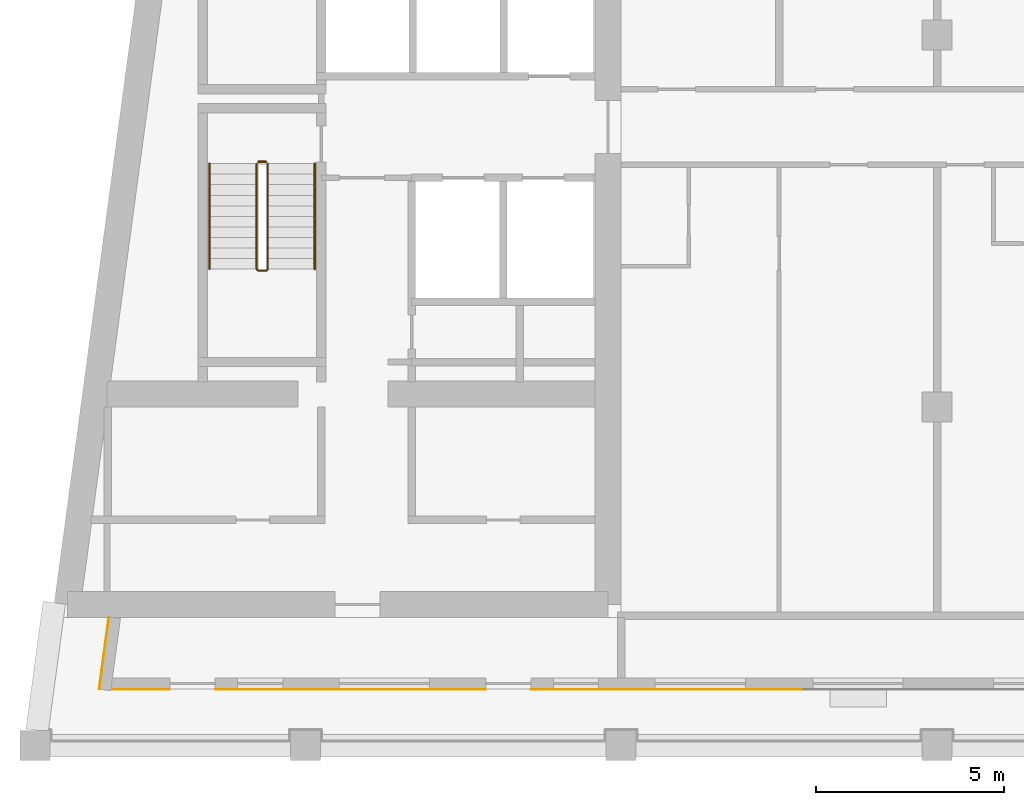
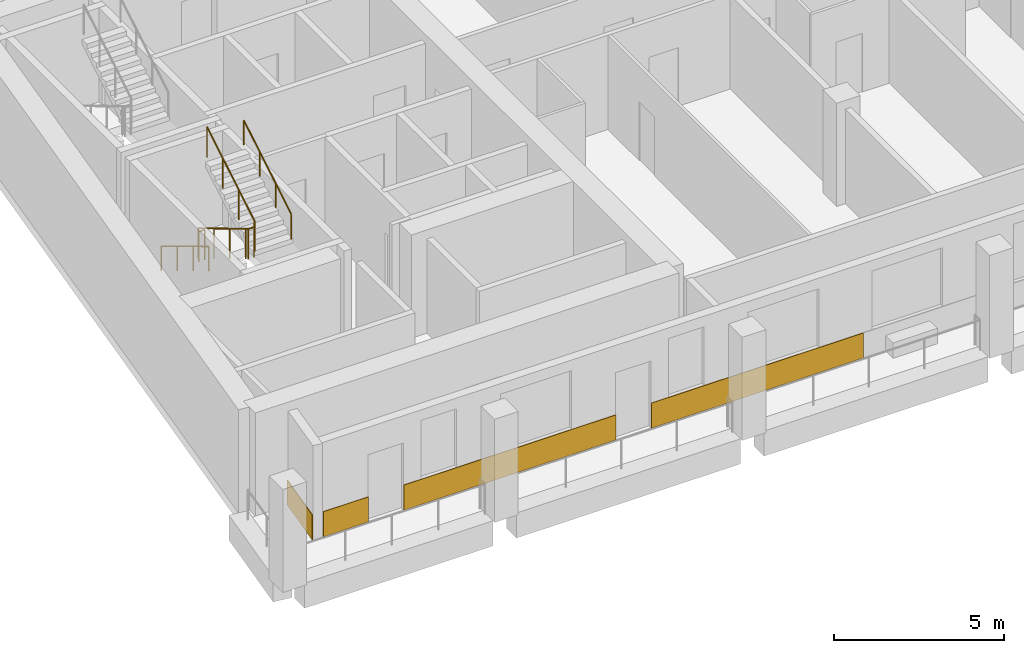
# One storey, part 8 of 13: 4 coverings, 4 railings.
"""IFC4 building model written with IfcOpenShell, lengths in metres."""

from ifc_helpers import new_model, si_unit, direction, frame, origin, origin_2d, place, context, subcontext, project, spatial, rectangle, circle, extrude, material, layer, layer_set, type_object, element, save


model = new_model("IFC4")

# Units and contexts
model_context = context("Model", 3, precision=1e-05, world=origin(), true_north=direction((0.0, 1.0)))
body_context = subcontext(model_context, "Body", "Model", "MODEL_VIEW")
ifc_project = project(units=[si_unit("LENGTHUNIT", "METRE"), si_unit("AREAUNIT", "SQUARE_METRE"), si_unit("VOLUMEUNIT", "CUBIC_METRE"), si_unit("PLANEANGLEUNIT", "RADIAN"), si_unit("MASSUNIT", "GRAM", prefix="KILO")], contexts=[model_context])

# Site, building, storey
site_placement = place(None, origin())
site = spatial("IfcSite", under=ifc_project, at=site_placement, CompositionType="ELEMENT")
building_placement = place(site_placement, origin())
building = spatial("IfcBuilding", under=site, at=building_placement, Name="Candeia Pilgrim Tower and Theatre", CompositionType="ELEMENT")
storey_placement = place(building_placement, frame((0.0, 0.0, 262.699951171875)))
storey = spatial("IfcBuildingStorey", under=building, at=storey_placement, Name="L63", CompositionType="ELEMENT", Elevation=262.699951171875)

# Coverings
ifc_material_1 = material(Name="Glazed ceramic tile bottle green")
ifc_layer = layer(ifc_material_1, 0.02001953125)
ifc_layer_set = layer_set([ifc_layer], Name="Glazed ceramic tile bottle green")
covering_type = type_object("IfcCoveringType", Name="Glazed ceramic tile bottle green", PredefinedType="CLADDING", material=ifc_layer_set)
covering_1_placement = place(storey_placement, frame((87.04638671875, 109.46142578125, 0.0), z_axis=(0.0, 0.0, 1.0), x_axis=(-0.133412012145, -0.991060661622, 0.0)))
element("IfcCovering", 1, at=covering_1_placement, inside=storey, type_object=covering_type, Name="Tile cladding bottle green L63", PredefinedType="CLADDING", context=body_context, shape_type="SweptSolid", body=[
    extrude(rectangle(XDim=1.937255859375, YDim=0.02001953125, at=origin_2d()), origin(), (0.0, 0.0, 1.0), 0.89990234375),
])
covering_2_placement = place(storey_placement, frame((88.0341796875, 108.489990234375, 0.0), z_axis=(0.0, 0.0, 1.0), x_axis=(1.0, 0.0, 0.0)))
element("IfcCovering", 2, at=covering_2_placement, inside=storey, type_object=covering_type, Name="Tile cladding bottle green L63", PredefinedType="CLADDING", context=body_context, shape_type="SweptSolid", body=[
    extrude(rectangle(XDim=1.531494140625, YDim=0.02001953125, at=origin_2d()), origin(), (0.0, 0.0, 1.0), 0.89990234375),
])
for number, where, z_axis, x_axis, name in (
    (3, (93.60009765625, 108.489990234375, 0.0), (0.0, 0.0, 1.0), (1.0, 0.0, 0.0), "Tile cladding bottle green L63"),
    (4, (102.0, 108.489990234375, 0.0), (0.0, 0.0, 1.0), (1.0, 0.0, 0.0), "Tile cladding bottle green L63"),
):
    element("IfcCovering", number, at=place(storey_placement, frame(where, z_axis=z_axis, x_axis=x_axis)), inside=storey, type_object=covering_type, Name=name, PredefinedType="CLADDING", context=body_context, shape_type="SweptSolid", body=[
        extrude(rectangle(XDim=7.199951171875, YDim=0.02001953125, at=origin_2d()), origin(), (0.0, 0.0, 1.0), 0.89990234375),
    ])

# Railings
ifc_material_2 = material(Name="Stainless steel balustrade", Category="steel")
railing_type_1 = type_object("IfcRailingType", Name="RL-GUARD-1100", PredefinedType="GUARDRAIL", material=ifc_material_2)
railing_1_placement = place(storey_placement, frame((91.10205078125, 122.47509765625, 0.168212890625)))
element("IfcRailing", 5, at=railing_1_placement, inside=storey, type_object=railing_type_1, Name="L63 ST1 stair guard 1", PredefinedType="GUARDRAIL", context=body_context, shape_type="SweptSolid", body=[
    extrude(circle(Radius=0.02392578125, at=origin_2d()), frame((0.0, 0.0, 1.076171875), z_axis=(0.0, -0.857242210791, 0.514913383045), x_axis=(1.0, 0.0, 0.0)), (0.0, 0.0, 1.0), 3.266357421875),
    extrude(circle(Radius=0.02392578125, at=origin_2d()), frame((0.0, -2.800048828125, 2.7578125), z_axis=(0.707106781187, -0.707106781187, 0.0), x_axis=(0.707106781187, 0.707106781187, 0.0)), (0.0, 0.0, 1.0), 0.07080078125),
    extrude(circle(Radius=0.02392578125, at=origin_2d()), frame((0.050048828125, -2.85009765625, 2.7578125), z_axis=(1.0, 0.0, 0.0), x_axis=(0.0, 1.0, 0.0)), (0.0, 0.0, 1.0), 0.199951171875),
    extrude(circle(Radius=0.02392578125, at=origin_2d()), frame((0.25, -2.85009765625, 2.7578125), z_axis=(0.274243871929, 0.274243871929, 0.92172696468), x_axis=(-0.707106781187, 0.707106781187, 0.0)), (0.0, 0.0, 1.0), 0.1826171875),
    extrude(circle(Radius=0.02392578125, at=origin_2d()), frame((0.300048828125, -2.800048828125, 2.92626953125), z_axis=(0.0, 0.857275202839, 0.514858452973), x_axis=(-1.0, 0.0, 0.0)), (0.0, 0.0, 1.0), 3.26611328125),
    extrude(circle(Radius=0.02099609375, at=origin_2d()), origin(), (0.0, 0.0, 1.0), 1.052001953125),
    extrude(circle(Radius=0.02099609375, at=origin_2d()), frame((0.0, -0.933349609375, 0.560546875)), (0.0, 0.0, 1.0), 1.052001953125),
    extrude(circle(Radius=0.02099609375, at=origin_2d()), frame((0.0, -1.86669921875, 1.121337890625)), (0.0, 0.0, 1.0), 1.052001953125),
    extrude(circle(Radius=0.02099609375, at=origin_2d()), frame((0.0, -2.800048828125, 1.681884765625)), (0.0, 0.0, 1.0), 1.052001953125),
    extrude(circle(Radius=0.02099609375, at=origin_2d()), frame((0.050048828125, -2.85009765625, 1.681884765625)), (0.0, 0.0, 1.0), 1.052001953125),
    extrude(circle(Radius=0.02099609375, at=origin_2d()), frame((0.25, -2.85009765625, 1.681884765625)), (0.0, 0.0, 1.0), 1.052001953125),
    extrude(circle(Radius=0.02099609375, at=origin_2d()), frame((0.300048828125, -2.800048828125, 1.85009765625)), (0.0, 0.0, 1.0), 1.052001953125),
    extrude(circle(Radius=0.02099609375, at=origin_2d()), frame((0.300048828125, -1.86669921875, 2.41064453125)), (0.0, 0.0, 1.0), 1.052001953125),
    extrude(circle(Radius=0.02099609375, at=origin_2d()), frame((0.300048828125, -0.933349609375, 2.97119140625)), (0.0, 0.0, 1.0), 1.052001953125),
    extrude(circle(Radius=0.02099609375, at=origin_2d()), frame((0.300048828125, 0.0, 3.53173828125)), (0.0, 0.0, 1.0), 1.052001953125),
])
railing_2_placement = place(storey_placement, frame((91.152099609375, 122.52490234375, 0.0)))
element("IfcRailing", 6, at=railing_2_placement, inside=storey, type_object=railing_type_1, Name="L63 ST1 stair guard 2", PredefinedType="GUARDRAIL", context=body_context, shape_type="SweptSolid", body=[
    extrude(circle(Radius=0.02392578125, at=origin_2d()), frame((0.0, 0.0, 1.076171875), z_axis=(1.0, 0.0, 0.0), x_axis=(0.0, 1.0, 0.0)), (0.0, 0.0, 1.0), 0.199951171875),
    extrude(circle(Radius=0.02099609375, at=origin_2d()), origin(), (0.0, 0.0, 1.0), 1.052001953125),
    extrude(circle(Radius=0.02099609375, at=origin_2d()), frame((0.199951171875, 0.0, 0.0)), (0.0, 0.0, 1.0), 1.052001953125),
])
ifc_material_3 = material(Name="Stainless steel handrail", Category="steel")
railing_type_2 = type_object("IfcRailingType", Name="RL-HANDRAIL-900", PredefinedType="HANDRAIL", material=ifc_material_3)
railing_3_placement = place(storey_placement, frame((89.85205078125, 122.47509765625, 0.168212890625)))
element("IfcRailing", 7, at=railing_3_placement, inside=storey, type_object=railing_type_2, Name="L63 ST1 stair handrail 1", PredefinedType="HANDRAIL", context=body_context, shape_type="SweptSolid", body=[
    extrude(circle(Radius=0.02392578125, at=origin_2d()), frame((0.0, 0.0, 0.8759765625), z_axis=(0.0, -0.857242210791, 0.514913383045), x_axis=(1.0, 0.0, 0.0)), (0.0, 0.0, 1.0), 3.266357421875),
    extrude(circle(Radius=0.02099609375, at=origin_2d()), origin(), (0.0, 0.0, 1.0), 0.851806640625),
    extrude(circle(Radius=0.02099609375, at=origin_2d()), frame((0.0, -0.933349609375, 0.560546875)), (0.0, 0.0, 1.0), 0.851806640625),
    extrude(circle(Radius=0.02099609375, at=origin_2d()), frame((0.0, -1.86669921875, 1.121337890625)), (0.0, 0.0, 1.0), 0.851806640625),
    extrude(circle(Radius=0.02099609375, at=origin_2d()), frame((0.0, -2.800048828125, 1.681884765625)), (0.0, 0.0, 1.0), 0.851806640625),
])
railing_4_placement = place(storey_placement, frame((92.652099609375, 119.675048828125, 2.018310546875)))
element("IfcRailing", 8, at=railing_4_placement, inside=storey, type_object=railing_type_2, Name="L63 ST1 stair handrail 2", PredefinedType="HANDRAIL", context=body_context, shape_type="SweptSolid", body=[
    extrude(circle(Radius=0.02392578125, at=origin_2d()), frame((0.0, 0.0, 0.8759765625), z_axis=(0.0, 0.857275202839, 0.514858452973), x_axis=(-1.0, 0.0, 0.0)), (0.0, 0.0, 1.0), 3.26611328125),
    extrude(circle(Radius=0.02099609375, at=origin_2d()), origin(), (0.0, 0.0, 1.0), 0.851806640625),
    extrude(circle(Radius=0.02099609375, at=origin_2d()), frame((0.0, 0.933349609375, 0.560546875)), (0.0, 0.0, 1.0), 0.851806640625),
    extrude(circle(Radius=0.02099609375, at=origin_2d()), frame((0.0, 1.86669921875, 1.12109375)), (0.0, 0.0, 1.0), 0.851806640625),
    extrude(circle(Radius=0.02099609375, at=origin_2d()), frame((0.0, 2.800048828125, 1.681640625)), (0.0, 0.0, 1.0), 0.851806640625),
])

save(model, "model.ifc")
